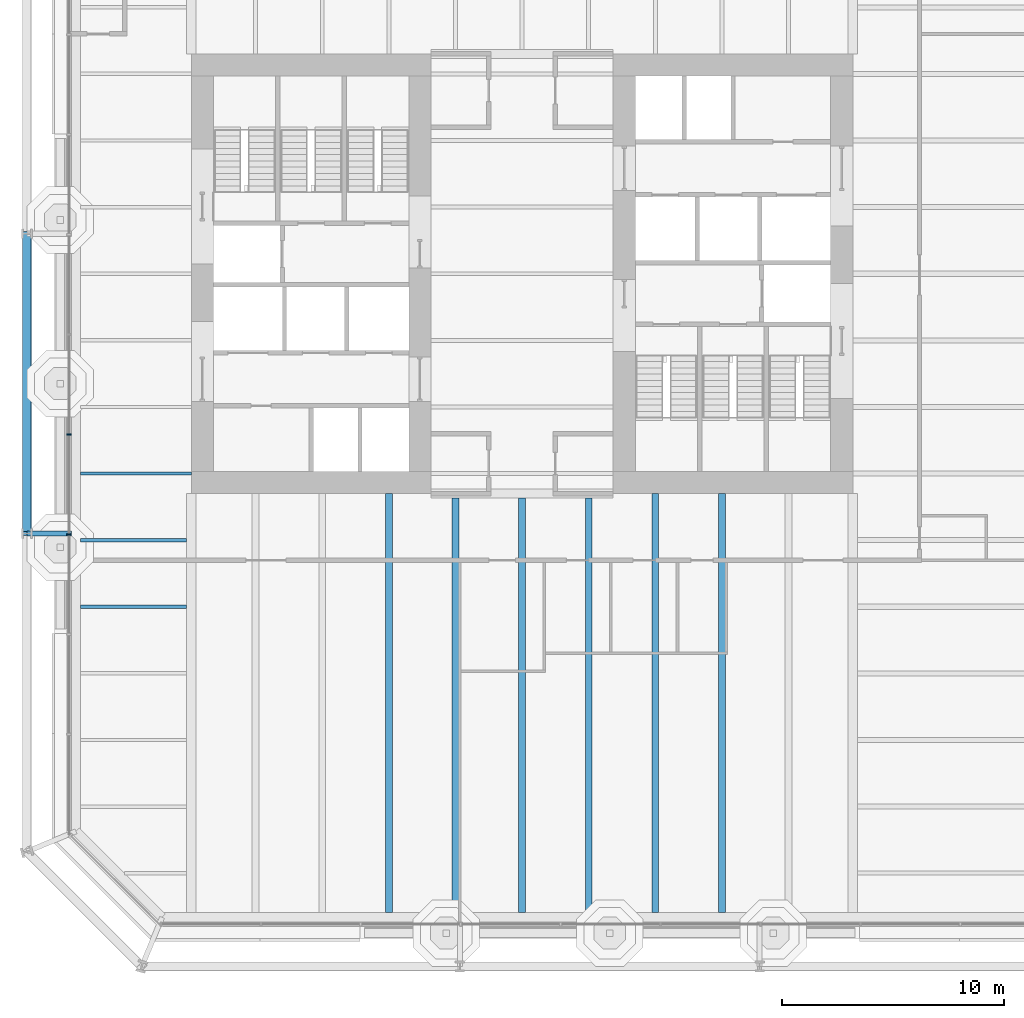
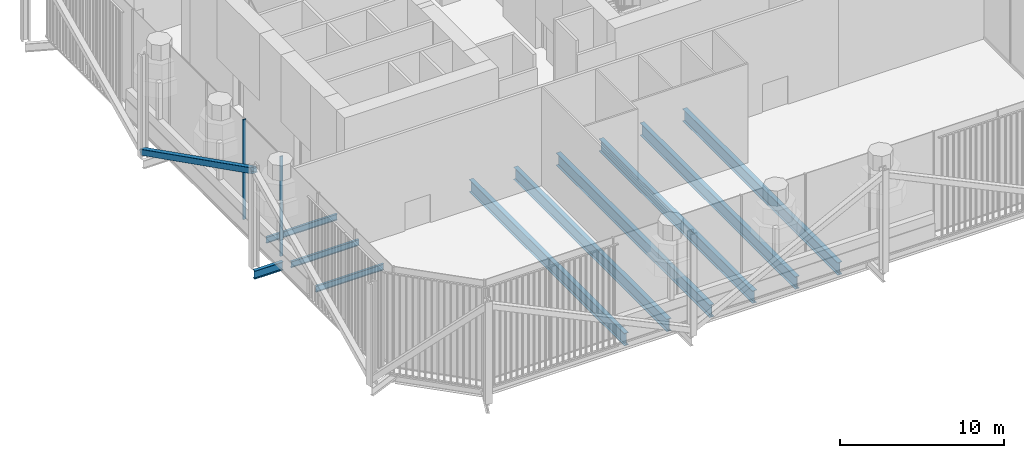
# One storey, part 4 of 18: 10 beams, 3 members, 1 element without a shape of its own.
"""IFC4 building model written with IfcOpenShell, lengths in metres."""

from ifc_helpers import new_model, si_unit, direction, frame, origin, origin_2d, place, context, subcontext, project, spatial, rectangle, hollow_rectangle, i_section, extrude, material, layer, layer_set, material_profile, profile_set, type_object, element, aggregate, save


model = new_model("IFC4")

# Units and contexts
model_context = context("Model", 3, precision=1e-05, world=origin(), true_north=direction((0.0, 1.0)))
body_context = subcontext(model_context, "Body", "Model", "MODEL_VIEW")
ifc_project = project(units=[si_unit("LENGTHUNIT", "METRE"), si_unit("AREAUNIT", "SQUARE_METRE"), si_unit("VOLUMEUNIT", "CUBIC_METRE"), si_unit("PLANEANGLEUNIT", "RADIAN"), si_unit("MASSUNIT", "GRAM", prefix="KILO")], contexts=[model_context])

# Site, building, storey
site_placement = place(None, origin())
site = spatial("IfcSite", under=ifc_project, at=site_placement, CompositionType="ELEMENT")
building_placement = place(site_placement, origin())
building = spatial("IfcBuilding", under=site, at=building_placement, Name="Millrace Tower", CompositionType="ELEMENT")
storey_placement = place(building_placement, frame((0.0, 0.0, 112.800048828125)))
storey = spatial("IfcBuildingStorey", under=building, at=storey_placement, Name="L25", CompositionType="ELEMENT", Elevation=112.800048828125)

# Curtain wall, members
ifc_material_1 = material(Name="Aluminium and glass", Category="aluminium")
ifc_layer = layer(ifc_material_1, 0.199951171875)
ifc_layer_set = layer_set([ifc_layer], Name="Aluminium and glass")
curtain_wall_type = type_object("IfcCurtainWallType", Name="CW-4 sky garden winter glazing", PredefinedType="NOTDEFINED", material=ifc_layer_set)
curtain_wall_placement = place(storey_placement, origin())
curtain_wall = element("IfcCurtainWall", 1, at=curtain_wall_placement, inside=storey, type_object=curtain_wall_type, Name="Curtain wall B-F08 L25", PredefinedType="NOTDEFINED")
ifc_material_2 = material(Name="Aluminium", Category="aluminium")
ifc_material_profile_1 = material_profile(ifc_material_2, rectangle(XDim=0.080078125, YDim=0.199951171875, at=origin_2d()))
ifc_profile_set_1 = profile_set([ifc_material_profile_1], Name="Aluminium")
member_type_1 = type_object("IfcMemberType", Name="CW-4 sky garden winter glazing mullion", PredefinedType="MULLION", material=ifc_profile_set_1)
member_1_placement = place(storey_placement, frame((-20.39990234375, -7.239990234375, 0.179931640625), z_axis=(0.0, 0.0, 1.0), x_axis=(0.0, -1.0, 0.0)))
member_1 = element("IfcMember", 2, at=member_1_placement, type_object=member_type_1, Name="CW4 mullion B-F08.6", PredefinedType="MULLION", context=body_context, shape_type="SweptSolid", body=[
    extrude(rectangle(XDim=0.080078125, YDim=0.199951171875, at=origin_2d()), origin(), (0.0, 0.0, 1.0), 7.419921875),
])
member_2_placement = place(storey_placement, frame((-20.39990234375, -11.739990234375, 0.179931640625), z_axis=(0.0, 0.0, 1.0), x_axis=(0.0, -1.0, 0.0)))
member_2 = element("IfcMember", 3, at=member_2_placement, type_object=member_type_1, Name="CW4 mullion B-F08.7", PredefinedType="MULLION", context=body_context, shape_type="SweptSolid", body=[
    extrude(rectangle(XDim=0.080078125, YDim=0.199951171875, at=origin_2d()), origin(), (0.0, 0.0, 1.0), 7.419921875),
])
aggregate(curtain_wall, [member_1, member_2])

# Member
ifc_material_3 = material(Name="Steel ASTM A500 Grade C", Category="steel")
ifc_material_profile_2 = material_profile(ifc_material_3, hollow_rectangle(XDim=0.406494140625, YDim=0.406494140625, WallThickness=0.0126953125, InnerFilletRadius=0.00634765625, OuterFilletRadius=0.01904296875, at=origin_2d()))
ifc_profile_set_2 = profile_set([ifc_material_profile_2], Name="Steel ASTM A500 Grade C")
member_type_2 = type_object("IfcMemberType", Name="Exoskeleton brace HSS16x16x1/2", PredefinedType="BRACE", material=ifc_profile_set_2)
member_3_placement = place(storey_placement, frame((-22.300048828125, 1.800048828125, 0.39990234375), z_axis=(0.0, -0.893098867308, 0.449860437484), x_axis=(1.0, 0.0, 0.0)))
element("IfcMember", 4, at=member_3_placement, inside=storey, type_object=member_type_2, Name="BRC-B-L25-15", PredefinedType="BRACE", context=body_context, shape_type="SweptSolid", body=[
    extrude(hollow_rectangle(XDim=0.406494140625, YDim=0.406494140625, WallThickness=0.0126953125, InnerFilletRadius=0.00634765625, OuterFilletRadius=0.01904296875, at=origin_2d()), origin(), (0.0, 0.0, 1.0), 15.115966796875),
])

# Beams
ifc_material_4 = material(Name="Steel ASTM A992 Grade 50", Category="steel")
ifc_material_profile_3 = material_profile(ifc_material_4, i_section(OverallWidth=0.15234375, OverallDepth=0.449462890625, WebThickness=0.007568359375, FlangeThickness=0.0107421875, FilletRadius=0.01025390625, at=origin_2d()))
ifc_profile_set_3 = profile_set([ifc_material_profile_3], Name="Steel ASTM A992 Grade 50")
beam_type_1 = type_object("IfcBeamType", Name="Floor beam W18x35", PredefinedType="JOIST", material=ifc_profile_set_3)
for number, where, z_axis, x_axis, name in (
    (5, (-19.880859375, -15.0, -0.474853515625), (1.0, 0.0, 0.0), (0.0, 1.0, 0.0), "BM-B-L25-S1-S009"),
    (6, (-19.880859375, -12.0, -0.474853515625), (1.0, 0.0, 0.0), (0.0, 1.0, 0.0), "BM-B-L25-S1-S011"),
):
    element("IfcBeam", number, at=place(storey_placement, frame(where, z_axis=z_axis, x_axis=x_axis)), inside=storey, type_object=beam_type_1, Name=name, PredefinedType="JOIST", context=body_context, shape_type="SweptSolid", body=[
        extrude(i_section(OverallWidth=0.15234375, OverallDepth=0.449462890625, WebThickness=0.007568359375, FlangeThickness=0.0107421875, FilletRadius=0.01025390625, at=origin_2d()), origin(), (0.0, 0.0, 1.0), 4.77001953125),
    ])
beam_1_placement = place(storey_placement, frame((-19.880859375, -9.0, -0.474853515625), z_axis=(1.0, 0.0, 0.0), x_axis=(0.0, 1.0, 0.0)))
element("IfcBeam", 7, at=beam_1_placement, inside=storey, type_object=beam_type_1, Name="BM-B-L25-S1-S014", PredefinedType="JOIST", context=body_context, shape_type="SweptSolid", body=[
    extrude(i_section(OverallWidth=0.15234375, OverallDepth=0.449462890625, WebThickness=0.007568359375, FlangeThickness=0.0107421875, FilletRadius=0.01025390625, at=origin_2d()), origin(), (0.0, 0.0, 1.0), 4.98095703125),
])
ifc_material_5 = material(Name="Steel ASTM A992 Grade 50", Category="steel")
ifc_material_profile_4 = material_profile(ifc_material_5, i_section(OverallWidth=0.307373046875, OverallDepth=0.927001953125, WebThickness=0.01953125, FlangeThickness=0.031982421875, FilletRadius=0.01904296875, at=origin_2d()))
ifc_profile_set_4 = profile_set([ifc_material_profile_4], Name="Steel ASTM A992 Grade 50")
beam_type_2 = type_object("IfcBeamType", Name="Floor beam W36x194", PredefinedType="JOIST", material=ifc_profile_set_4)
beam_2_placement = place(storey_placement, frame((-6.0, -28.781005859375, -0.713623046875), z_axis=(0.0, 1.0, 0.0), x_axis=(-1.0, 0.0, 0.0)))
element("IfcBeam", 8, at=beam_2_placement, inside=storey, type_object=beam_type_2, Name="BM-B-L25-S1-S045", PredefinedType="JOIST", context=body_context, shape_type="SweptSolid", body=[
    extrude(i_section(OverallWidth=0.307373046875, OverallDepth=0.927001953125, WebThickness=0.01953125, FlangeThickness=0.031982421875, FilletRadius=0.01904296875, at=origin_2d()), origin(), (0.0, 0.0, 1.0), 18.881103515625),
])
for number, where, z_axis, x_axis, name in (
    (9, (-3.0, -28.781005859375, -0.713623046875), (0.0, 1.0, 0.0), (-1.0, 0.0, 0.0), "BM-B-L25-S1-S047"),
    (10, (0.0, -28.781005859375, -0.713623046875), (0.0, 1.0, 0.0), (-1.0, 0.0, 0.0), "BM-B-L25-S1-S049"),
    (11, (3.0, -28.781005859375, -0.713623046875), (0.0, 1.0, 0.0), (-1.0, 0.0, 0.0), "BM-B-L25-S1-S051"),
):
    element("IfcBeam", number, at=place(storey_placement, frame(where, z_axis=z_axis, x_axis=x_axis)), inside=storey, type_object=beam_type_2, Name=name, PredefinedType="JOIST", context=body_context, shape_type="SweptSolid", body=[
        extrude(i_section(OverallWidth=0.307373046875, OverallDepth=0.927001953125, WebThickness=0.01953125, FlangeThickness=0.031982421875, FilletRadius=0.01904296875, at=origin_2d()), origin(), (0.0, 0.0, 1.0), 18.670166015625),
    ])
for number, where, z_axis, x_axis, name in (
    (12, (6.0, -28.781005859375, -0.713623046875), (0.0, 1.0, 0.0), (-1.0, 0.0, 0.0), "BM-B-L25-S1-S053"),
    (13, (9.0, -28.781005859375, -0.713623046875), (0.0, 1.0, 0.0), (-1.0, 0.0, 0.0), "BM-B-L25-S1-S055"),
):
    element("IfcBeam", number, at=place(storey_placement, frame(where, z_axis=z_axis, x_axis=x_axis)), inside=storey, type_object=beam_type_2, Name=name, PredefinedType="JOIST", context=body_context, shape_type="SweptSolid", body=[
        extrude(i_section(OverallWidth=0.307373046875, OverallDepth=0.927001953125, WebThickness=0.01953125, FlangeThickness=0.031982421875, FilletRadius=0.01904296875, at=origin_2d()), origin(), (0.0, 0.0, 1.0), 18.881103515625),
    ])
ifc_material_6 = material(Name="Steel ASTM A992 Grade 50", Category="steel")
ifc_material_profile_5 = material_profile(ifc_material_6, i_section(OverallWidth=0.23046875, OverallDepth=0.6171875, WebThickness=0.01318359375, FlangeThickness=0.022216796875, FilletRadius=0.012939453125, at=origin_2d()))
ifc_profile_set_5 = profile_set([ifc_material_profile_5], Name="Steel ASTM A992 Grade 50")
beam_type_3 = type_object("IfcBeamType", Name="Link beam W24x94", PredefinedType="BEAM", material=ifc_profile_set_5)
beam_3_placement = place(storey_placement, frame((-20.300048828125, -11.699951171875, -0.55859375), z_axis=(-1.0, 0.0, 0.0), x_axis=(0.0, -1.0, 0.0)))
element("IfcBeam", 14, at=beam_3_placement, inside=storey, type_object=beam_type_3, Name="LNK-B-L25-S1-02", PredefinedType="BEAM", context=body_context, shape_type="SweptSolid", body=[
    extrude(i_section(OverallWidth=0.23046875, OverallDepth=0.6171875, WebThickness=0.01318359375, FlangeThickness=0.022216796875, FilletRadius=0.012939453125, at=origin_2d()), origin(), (0.0, 0.0, 1.0), 2.0),
])

save(model, "model.ifc")
